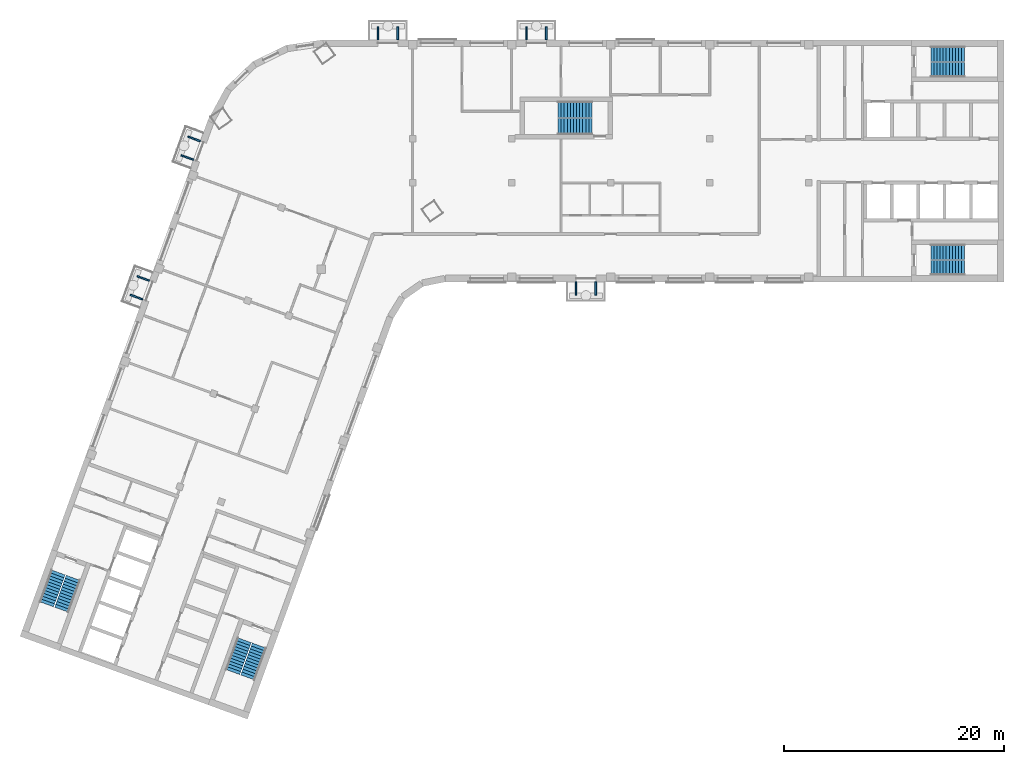
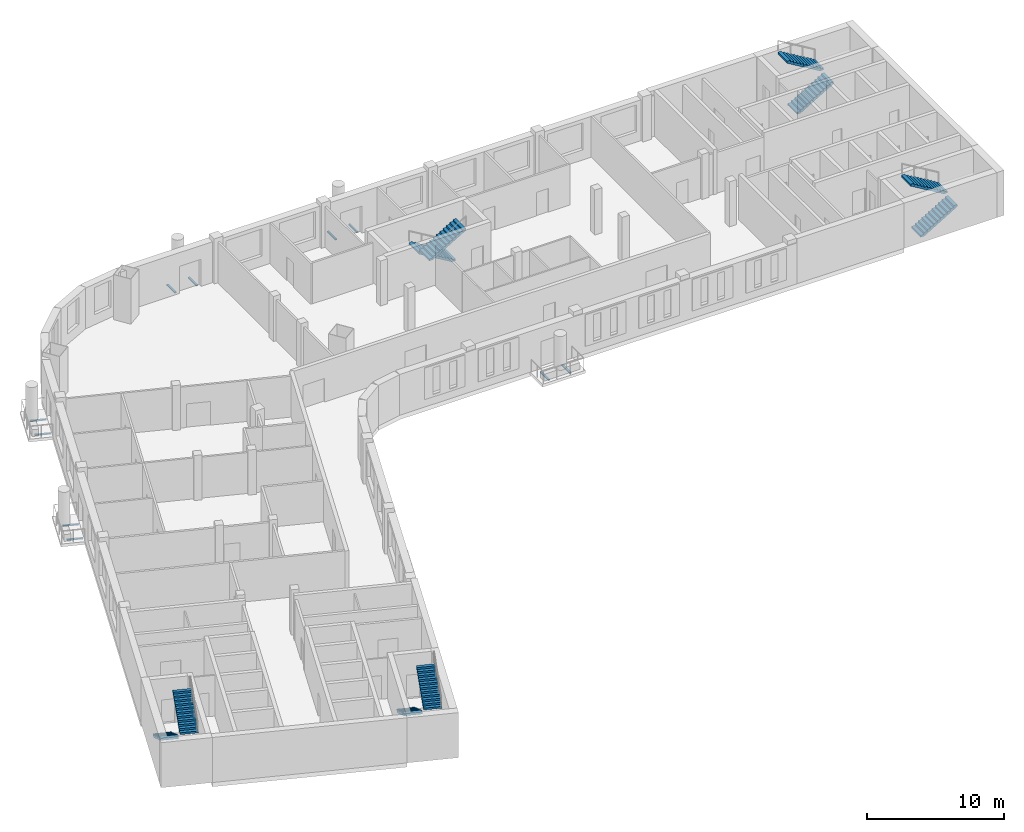
# One storey, part 7 of 10: 10 discrete accessories, 10 stair flights, 5 elements without a shape of their own.
"""IFC4 building model written with IfcOpenShell, lengths in metres."""

from ifc_helpers import new_model, si_unit, direction, frame, origin, origin_2d, place, context, subcontext, project, spatial, polyline, rectangle, outline, extrude, material, type_object, element, aggregate, save


model = new_model("IFC4")

# Units and contexts
model_context = context("Model", 3, precision=1e-05, world=origin(), true_north=direction((0.0, 1.0)))
body_context = subcontext(model_context, "Body", "Model", "MODEL_VIEW")
ifc_project = project(units=[si_unit("LENGTHUNIT", "METRE"), si_unit("AREAUNIT", "SQUARE_METRE"), si_unit("VOLUMEUNIT", "CUBIC_METRE"), si_unit("PLANEANGLEUNIT", "RADIAN"), si_unit("MASSUNIT", "GRAM", prefix="KILO")], contexts=[model_context])

# Site, building, storey
site_placement = place(None, origin())
site = spatial("IfcSite", under=ifc_project, at=site_placement, CompositionType="ELEMENT")
building_placement = place(site_placement, origin())
building = spatial("IfcBuilding", under=site, at=building_placement, Name="Skarvind Civic Tower", CompositionType="ELEMENT")
storey_placement = place(building_placement, frame((0.0, 0.0, 204.0)))
storey = spatial("IfcBuildingStorey", under=building, at=storey_placement, Name="L48", CompositionType="ELEMENT", Elevation=204.0)

# Stair, stair flights
ifc_material = material(Name="Concrete C40/50", Category="concrete")
stair_type_1 = type_object("IfcStairType", Name="Exit stair 1450, half-turn, concrete", PredefinedType="HALF_TURN_STAIR", material=ifc_material)
stair_1_placement = place(storey_placement, origin())
stair_1 = element("IfcStair", 1, at=stair_1_placement, inside=storey, type_object=stair_type_1, Name="Exit stair CM", PredefinedType="HALF_TURN_STAIR")
stair_flight_type_1 = type_object("IfcStairFlightType", Name="Stair flight 1450, concrete", PredefinedType="STRAIGHT", material=ifc_material)
stair_flight_1_placement = place(storey_placement, frame((70.550048828125, 132.675048828125, 0.0), z_axis=(0.0, 0.0, 1.0), x_axis=(-1.0, 0.0, 0.0)))
stair_flight_1 = element("IfcStairFlight", 2, at=stair_flight_1_placement, type_object=stair_flight_type_1, Name="ST-CM flight 1", NumberOfRisers=12, NumberOfTreads=11, PredefinedType="STRAIGHT", RiserHeight=0.166666667, TreadLength=0.28, context=body_context, shape_type="SweptSolid", body=[
    extrude(outline(polyline([(0.0, 0.0), (0.0, 0.166748046875), (0.280029296875, 0.166748046875), (0.280029296875, 0.333251953125), (0.56005859375, 0.333251953125), (0.56005859375, 0.5), (0.840087890625, 0.5), (0.840087890625, 0.666748046875), (1.1201171875, 0.666748046875), (1.1201171875, 0.833251953125), (1.39990234375, 0.833251953125), (1.39990234375, 1.0), (1.679931640625, 1.0), (1.679931640625, 1.166748046875), (1.9599609375, 1.166748046875), (1.9599609375, 1.333251953125), (2.239990234375, 1.333251953125), (2.239990234375, 1.5), (2.52001953125, 1.5), (2.52001953125, 1.666748046875), (2.800048828125, 1.666748046875), (2.800048828125, 1.833251953125), (3.080078125, 1.833251953125), (3.080078125, 2.0), (3.080078125, 1.658935546875), (0.29296875, 0.0), (0.0, 0.0)])), frame((0.0, 0.72509765625, 0.0), z_axis=(0.0, -1.0, 0.0), x_axis=(1.0, 0.0, 0.0)), (0.0, 0.0, 1.0), 1.449951171875),
])
stair_flight_2_placement = place(storey_placement, frame((67.469970703125, 131.125, 2.0), z_axis=(0.0, 0.0, 1.0), x_axis=(1.0, 0.0, 0.0)))
stair_flight_2 = element("IfcStairFlight", 3, at=stair_flight_2_placement, type_object=stair_flight_type_1, Name="ST-CM flight 2", NumberOfRisers=12, NumberOfTreads=11, PredefinedType="STRAIGHT", RiserHeight=0.166666667, TreadLength=0.28, context=body_context, shape_type="SweptSolid", body=[
    extrude(outline(polyline([(0.0, 0.0), (0.0, 0.166748046875), (0.280029296875, 0.166748046875), (0.280029296875, 0.333251953125), (0.56005859375, 0.333251953125), (0.56005859375, 0.5), (0.840087890625, 0.5), (0.840087890625, 0.666748046875), (1.1201171875, 0.666748046875), (1.1201171875, 0.833251953125), (1.39990234375, 0.833251953125), (1.39990234375, 1.0), (1.679931640625, 1.0), (1.679931640625, 1.166748046875), (1.9599609375, 1.166748046875), (1.9599609375, 1.333251953125), (2.239990234375, 1.333251953125), (2.239990234375, 1.5), (2.52001953125, 1.5), (2.52001953125, 1.666748046875), (2.800048828125, 1.666748046875), (2.800048828125, 1.833251953125), (3.080078125, 1.833251953125), (3.080078125, 2.0), (3.080078125, 1.658935546875), (0.29296875, 0.0), (0.0, 0.0)])), frame((0.0, 0.72509765625, 0.0), z_axis=(0.0, -1.0, 0.0), x_axis=(1.0, 0.0, 0.0)), (0.0, 0.0, 1.0), 1.449951171875),
])
aggregate(stair_1, [stair_flight_1, stair_flight_2])

stair_type_2 = type_object("IfcStairType", Name="Exit stair, half-turn, concrete", PredefinedType="HALF_TURN_STAIR", material=ifc_material)
stair_2_placement = place(storey_placement, origin())
stair_2 = element("IfcStair", 4, at=stair_2_placement, inside=storey, type_object=stair_type_2, Name="Exit stair C1S", PredefinedType="HALF_TURN_STAIR")
stair_flight_type_2 = type_object("IfcStairFlightType", Name="Stair flight, concrete", PredefinedType="STRAIGHT", material=ifc_material)
stair_flight_3_placement = place(storey_placement, frame((101.35009765625, 136.27490234375, 0.0), z_axis=(0.0, 0.0, 1.0), x_axis=(1.0, 0.0, 0.0)))
stair_flight_3 = element("IfcStairFlight", 5, at=stair_flight_3_placement, type_object=stair_flight_type_2, Name="ST-C1S flight 1", NumberOfRisers=12, NumberOfTreads=11, PredefinedType="STRAIGHT", RiserHeight=0.166666667, TreadLength=0.28, context=body_context, shape_type="SweptSolid", body=[
    extrude(outline(polyline([(0.0, 0.0), (0.0, 0.166748046875), (0.280029296875, 0.166748046875), (0.280029296875, 0.333251953125), (0.56005859375, 0.333251953125), (0.56005859375, 0.5), (0.840087890625, 0.5), (0.840087890625, 0.666748046875), (1.1201171875, 0.666748046875), (1.1201171875, 0.833251953125), (1.39990234375, 0.833251953125), (1.39990234375, 1.0), (1.679931640625, 1.0), (1.679931640625, 1.166748046875), (1.9599609375, 1.166748046875), (1.9599609375, 1.333251953125), (2.239990234375, 1.333251953125), (2.239990234375, 1.5), (2.52001953125, 1.5), (2.52001953125, 1.666748046875), (2.800048828125, 1.666748046875), (2.800048828125, 1.833251953125), (3.080078125, 1.833251953125), (3.080078125, 2.0), (3.080078125, 1.658935546875), (0.29296875, 0.0), (0.0, 0.0)])), frame((0.0, 0.675048828125, 0.0), z_axis=(0.0, -1.0, 0.0), x_axis=(1.0, 0.0, 0.0)), (0.0, 0.0, 1.0), 1.35009765625),
])
stair_flight_4_placement = place(storey_placement, frame((104.429931640625, 137.72509765625, 2.0), z_axis=(0.0, 0.0, 1.0), x_axis=(-1.0, 0.0, 0.0)))
stair_flight_4 = element("IfcStairFlight", 6, at=stair_flight_4_placement, type_object=stair_flight_type_2, Name="ST-C1S flight 2", NumberOfRisers=12, NumberOfTreads=11, PredefinedType="STRAIGHT", RiserHeight=0.166666667, TreadLength=0.28, context=body_context, shape_type="SweptSolid", body=[
    extrude(outline(polyline([(0.0, 0.0), (0.0, 0.166748046875), (0.280029296875, 0.166748046875), (0.280029296875, 0.333251953125), (0.56005859375, 0.333251953125), (0.56005859375, 0.5), (0.840087890625, 0.5), (0.840087890625, 0.666748046875), (1.1201171875, 0.666748046875), (1.1201171875, 0.833251953125), (1.39990234375, 0.833251953125), (1.39990234375, 1.0), (1.679931640625, 1.0), (1.679931640625, 1.166748046875), (1.9599609375, 1.166748046875), (1.9599609375, 1.333251953125), (2.239990234375, 1.333251953125), (2.239990234375, 1.5), (2.52001953125, 1.5), (2.52001953125, 1.666748046875), (2.800048828125, 1.666748046875), (2.800048828125, 1.833251953125), (3.080078125, 1.833251953125), (3.080078125, 2.0), (3.080078125, 1.658935546875), (0.29296875, 0.0), (0.0, 0.0)])), frame((0.0, 0.675048828125, 0.0), z_axis=(0.0, -1.0, 0.0), x_axis=(1.0, 0.0, 0.0)), (0.0, 0.0, 1.0), 1.35009765625),
])
aggregate(stair_2, [stair_flight_3, stair_flight_4])

stair_3_placement = place(storey_placement, origin())
stair_3 = element("IfcStair", 7, at=stair_3_placement, inside=storey, type_object=stair_type_2, Name="Exit stair C1N", PredefinedType="HALF_TURN_STAIR")
stair_flight_5_placement = place(storey_placement, frame((101.35009765625, 118.27490234375, 0.0), z_axis=(0.0, 0.0, 1.0), x_axis=(1.0, 0.0, 0.0)))
stair_flight_5 = element("IfcStairFlight", 8, at=stair_flight_5_placement, type_object=stair_flight_type_2, Name="ST-C1N flight 1", NumberOfRisers=12, NumberOfTreads=11, PredefinedType="STRAIGHT", RiserHeight=0.166666667, TreadLength=0.28, context=body_context, shape_type="SweptSolid", body=[
    extrude(outline(polyline([(0.0, 0.0), (0.0, 0.166748046875), (0.280029296875, 0.166748046875), (0.280029296875, 0.333251953125), (0.56005859375, 0.333251953125), (0.56005859375, 0.5), (0.840087890625, 0.5), (0.840087890625, 0.666748046875), (1.1201171875, 0.666748046875), (1.1201171875, 0.833251953125), (1.39990234375, 0.833251953125), (1.39990234375, 1.0), (1.679931640625, 1.0), (1.679931640625, 1.166748046875), (1.9599609375, 1.166748046875), (1.9599609375, 1.333251953125), (2.239990234375, 1.333251953125), (2.239990234375, 1.5), (2.52001953125, 1.5), (2.52001953125, 1.666748046875), (2.800048828125, 1.666748046875), (2.800048828125, 1.833251953125), (3.080078125, 1.833251953125), (3.080078125, 2.0), (3.080078125, 1.658935546875), (0.29296875, 0.0), (0.0, 0.0)])), frame((0.0, 0.675048828125, 0.0), z_axis=(0.0, -1.0, 0.0), x_axis=(1.0, 0.0, 0.0)), (0.0, 0.0, 1.0), 1.35009765625),
])
stair_flight_6_placement = place(storey_placement, frame((104.429931640625, 119.72509765625, 2.0), z_axis=(0.0, 0.0, 1.0), x_axis=(-1.0, 0.0, 0.0)))
stair_flight_6 = element("IfcStairFlight", 9, at=stair_flight_6_placement, type_object=stair_flight_type_2, Name="ST-C1N flight 2", NumberOfRisers=12, NumberOfTreads=11, PredefinedType="STRAIGHT", RiserHeight=0.166666667, TreadLength=0.28, context=body_context, shape_type="SweptSolid", body=[
    extrude(outline(polyline([(0.0, 0.0), (0.0, 0.166748046875), (0.280029296875, 0.166748046875), (0.280029296875, 0.333251953125), (0.56005859375, 0.333251953125), (0.56005859375, 0.5), (0.840087890625, 0.5), (0.840087890625, 0.666748046875), (1.1201171875, 0.666748046875), (1.1201171875, 0.833251953125), (1.39990234375, 0.833251953125), (1.39990234375, 1.0), (1.679931640625, 1.0), (1.679931640625, 1.166748046875), (1.9599609375, 1.166748046875), (1.9599609375, 1.333251953125), (2.239990234375, 1.333251953125), (2.239990234375, 1.5), (2.52001953125, 1.5), (2.52001953125, 1.666748046875), (2.800048828125, 1.666748046875), (2.800048828125, 1.833251953125), (3.080078125, 1.833251953125), (3.080078125, 2.0), (3.080078125, 1.658935546875), (0.29296875, 0.0), (0.0, 0.0)])), frame((0.0, 0.675048828125, 0.0), z_axis=(0.0, -1.0, 0.0), x_axis=(1.0, 0.0, 0.0)), (0.0, 0.0, 1.0), 1.35009765625),
])
aggregate(stair_3, [stair_flight_5, stair_flight_6])

stair_4_placement = place(storey_placement, origin())
stair_4 = element("IfcStair", 10, at=stair_4_placement, inside=storey, type_object=stair_type_2, Name="Exit stair C2S", PredefinedType="HALF_TURN_STAIR")
stair_flight_7_placement = place(storey_placement, frame((38.949462890625, 84.43408203125, 0.0), z_axis=(0.0, 0.0, 1.0), x_axis=(-0.342020143326, -0.939692620786, 0.0)))
stair_flight_7 = element("IfcStairFlight", 11, at=stair_flight_7_placement, type_object=stair_flight_type_2, Name="ST-C2S flight 1", NumberOfRisers=12, NumberOfTreads=11, PredefinedType="STRAIGHT", RiserHeight=0.166666667, TreadLength=0.28, context=body_context, shape_type="SweptSolid", body=[
    extrude(outline(polyline([(0.0, 0.0), (0.0, 0.166748046875), (0.280029296875, 0.166748046875), (0.280029296875, 0.333251953125), (0.56005859375, 0.333251953125), (0.56005859375, 0.5), (0.840087890625, 0.5), (0.840087890625, 0.666748046875), (1.1201171875, 0.666748046875), (1.1201171875, 0.833251953125), (1.39990234375, 0.833251953125), (1.39990234375, 1.0), (1.679931640625, 1.0), (1.679931640625, 1.166748046875), (1.9599609375, 1.166748046875), (1.9599609375, 1.333251953125), (2.239990234375, 1.333251953125), (2.239990234375, 1.5), (2.52001953125, 1.5), (2.52001953125, 1.666748046875), (2.800048828125, 1.666748046875), (2.800048828125, 1.833251953125), (3.080078125, 1.833251953125), (3.080078125, 2.0), (3.080078125, 1.658935546875), (0.29296875, 0.0), (0.0, 0.0)])), frame((0.0, 0.675048828125, 0.0), z_axis=(0.0, -1.0, 0.0), x_axis=(1.0, 0.0, 0.0)), (0.0, 0.0, 1.0), 1.35009765625),
])
stair_flight_8_placement = place(storey_placement, frame((39.258544921875, 81.0439453125, 2.0), z_axis=(0.0, 0.0, 1.0), x_axis=(0.342020143326, 0.939692620786, 0.0)))
stair_flight_8 = element("IfcStairFlight", 12, at=stair_flight_8_placement, type_object=stair_flight_type_2, Name="ST-C2S flight 2", NumberOfRisers=12, NumberOfTreads=11, PredefinedType="STRAIGHT", RiserHeight=0.166666667, TreadLength=0.28, context=body_context, shape_type="SweptSolid", body=[
    extrude(outline(polyline([(0.0, 0.0), (0.0, 0.166748046875), (0.280029296875, 0.166748046875), (0.280029296875, 0.333251953125), (0.56005859375, 0.333251953125), (0.56005859375, 0.5), (0.840087890625, 0.5), (0.840087890625, 0.666748046875), (1.1201171875, 0.666748046875), (1.1201171875, 0.833251953125), (1.39990234375, 0.833251953125), (1.39990234375, 1.0), (1.679931640625, 1.0), (1.679931640625, 1.166748046875), (1.9599609375, 1.166748046875), (1.9599609375, 1.333251953125), (2.239990234375, 1.333251953125), (2.239990234375, 1.5), (2.52001953125, 1.5), (2.52001953125, 1.666748046875), (2.800048828125, 1.666748046875), (2.800048828125, 1.833251953125), (3.080078125, 1.833251953125), (3.080078125, 2.0), (3.080078125, 1.658935546875), (0.29296875, 0.0), (0.0, 0.0)])), frame((0.0, 0.675048828125, 0.0), z_axis=(0.0, -1.0, 0.0), x_axis=(1.0, 0.0, 0.0)), (0.0, 0.0, 1.0), 1.35009765625),
])
aggregate(stair_4, [stair_flight_7, stair_flight_8])

stair_5_placement = place(storey_placement, origin())
stair_5 = element("IfcStair", 13, at=stair_5_placement, inside=storey, type_object=stair_type_2, Name="Exit stair C2N", PredefinedType="HALF_TURN_STAIR")
stair_flight_9_placement = place(storey_placement, frame((22.034912109375, 90.590576171875, 0.0), z_axis=(0.0, 0.0, 1.0), x_axis=(-0.342020143326, -0.939692620786, 0.0)))
stair_flight_9 = element("IfcStairFlight", 14, at=stair_flight_9_placement, type_object=stair_flight_type_2, Name="ST-C2N flight 1", NumberOfRisers=12, NumberOfTreads=11, PredefinedType="STRAIGHT", RiserHeight=0.166666667, TreadLength=0.28, context=body_context, shape_type="SweptSolid", body=[
    extrude(outline(polyline([(0.0, 0.0), (0.0, 0.166748046875), (0.280029296875, 0.166748046875), (0.280029296875, 0.333251953125), (0.56005859375, 0.333251953125), (0.56005859375, 0.5), (0.840087890625, 0.5), (0.840087890625, 0.666748046875), (1.1201171875, 0.666748046875), (1.1201171875, 0.833251953125), (1.39990234375, 0.833251953125), (1.39990234375, 1.0), (1.679931640625, 1.0), (1.679931640625, 1.166748046875), (1.9599609375, 1.166748046875), (1.9599609375, 1.333251953125), (2.239990234375, 1.333251953125), (2.239990234375, 1.5), (2.52001953125, 1.5), (2.52001953125, 1.666748046875), (2.800048828125, 1.666748046875), (2.800048828125, 1.833251953125), (3.080078125, 1.833251953125), (3.080078125, 2.0), (3.080078125, 1.658935546875), (0.29296875, 0.0), (0.0, 0.0)])), frame((0.0, 0.675048828125, 0.0), z_axis=(0.0, -1.0, 0.0), x_axis=(1.0, 0.0, 0.0)), (0.0, 0.0, 1.0), 1.35009765625),
])
stair_flight_10_placement = place(storey_placement, frame((22.343994140625, 87.2001953125, 2.0), z_axis=(0.0, 0.0, 1.0), x_axis=(0.342020143326, 0.939692620786, 0.0)))
stair_flight_10 = element("IfcStairFlight", 15, at=stair_flight_10_placement, type_object=stair_flight_type_2, Name="ST-C2N flight 2", NumberOfRisers=12, NumberOfTreads=11, PredefinedType="STRAIGHT", RiserHeight=0.166666667, TreadLength=0.28, context=body_context, shape_type="SweptSolid", body=[
    extrude(outline(polyline([(0.0, 0.0), (0.0, 0.166748046875), (0.280029296875, 0.166748046875), (0.280029296875, 0.333251953125), (0.56005859375, 0.333251953125), (0.56005859375, 0.5), (0.840087890625, 0.5), (0.840087890625, 0.666748046875), (1.1201171875, 0.666748046875), (1.1201171875, 0.833251953125), (1.39990234375, 0.833251953125), (1.39990234375, 1.0), (1.679931640625, 1.0), (1.679931640625, 1.166748046875), (1.9599609375, 1.166748046875), (1.9599609375, 1.333251953125), (2.239990234375, 1.333251953125), (2.239990234375, 1.5), (2.52001953125, 1.5), (2.52001953125, 1.666748046875), (2.800048828125, 1.666748046875), (2.800048828125, 1.833251953125), (3.080078125, 1.833251953125), (3.080078125, 2.0), (3.080078125, 1.658935546875), (0.29296875, 0.0), (0.0, 0.0)])), frame((0.0, 0.675048828125, 0.0), z_axis=(0.0, -1.0, 0.0), x_axis=(1.0, 0.0, 0.0)), (0.0, 0.0, 1.0), 1.35009765625),
])
aggregate(stair_5, [stair_flight_9, stair_flight_10])

# Discrete accessories
for number, where, z_axis, x_axis, name in (
    (16, (70.89990234375, 116.39990234375, -0.35009765625), (0.0, 0.0, 1.0), (-1.0, 0.0, 0.0), "TREE BALCONY BRACKET"),
    (17, (69.10009765625, 116.39990234375, -0.35009765625), (0.0, 0.0, 1.0), (-1.0, 0.0, 0.0), "TREE BALCONY BRACKET"),
    (18, (51.10009765625, 139.60009765625, -0.35009765625), (0.0, 0.0, 1.0), (1.0, 0.0, 0.0), "TREE BALCONY BRACKET"),
    (19, (52.89990234375, 139.60009765625, -0.35009765625), (0.0, 0.0, 1.0), (1.0, 0.0, 0.0), "TREE BALCONY BRACKET"),
    (20, (64.60009765625, 139.60009765625, -0.35009765625), (0.0, 0.0, 1.0), (1.0, 0.0, 0.0), "TREE BALCONY BRACKET"),
    (21, (66.39990234375, 139.60009765625, -0.35009765625), (0.0, 0.0, 1.0), (1.0, 0.0, 0.0), "TREE BALCONY BRACKET"),
    (22, (29.1484375, 115.61669921875, -0.35009765625), (0.0, 0.0, 1.0), (0.342020143326, 0.939692620786, 0.0), "TREE BALCONY BRACKET"),
    (23, (29.76416015625, 117.308349609375, -0.35009765625), (0.0, 0.0, 1.0), (0.342020143326, 0.939692620786, 0.0), "TREE BALCONY BRACKET"),
    (24, (33.765625, 128.302734375, -0.35009765625), (0.0, 0.0, 1.0), (0.342020143326, 0.939692620786, 0.0), "TREE BALCONY BRACKET"),
    (25, (34.38134765625, 129.994140625, -0.35009765625), (0.0, 0.0, 1.0), (0.342020143326, 0.939692620786, 0.0), "TREE BALCONY BRACKET"),
):
    element("IfcDiscreteAccessory", number, at=place(storey_placement, frame(where, z_axis=z_axis, x_axis=x_axis)), inside=storey, Name=name, PredefinedType="BRACKET", context=body_context, shape_type="SweptSolid", body=[
        extrude(rectangle(XDim=0.14990234375, YDim=1.199951171875, at=origin_2d()), origin(), (0.0, 0.0, 1.0), 0.10009765625),
    ])

save(model, "model.ifc")
